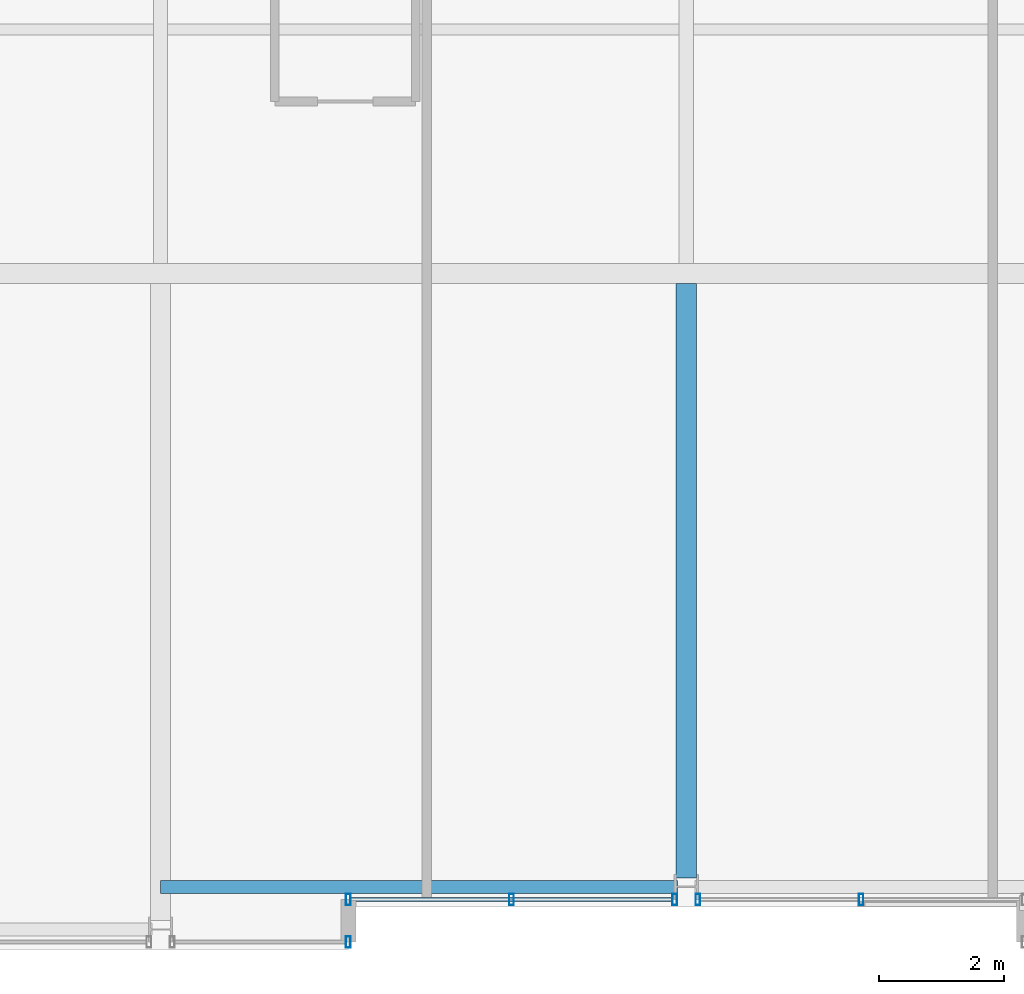
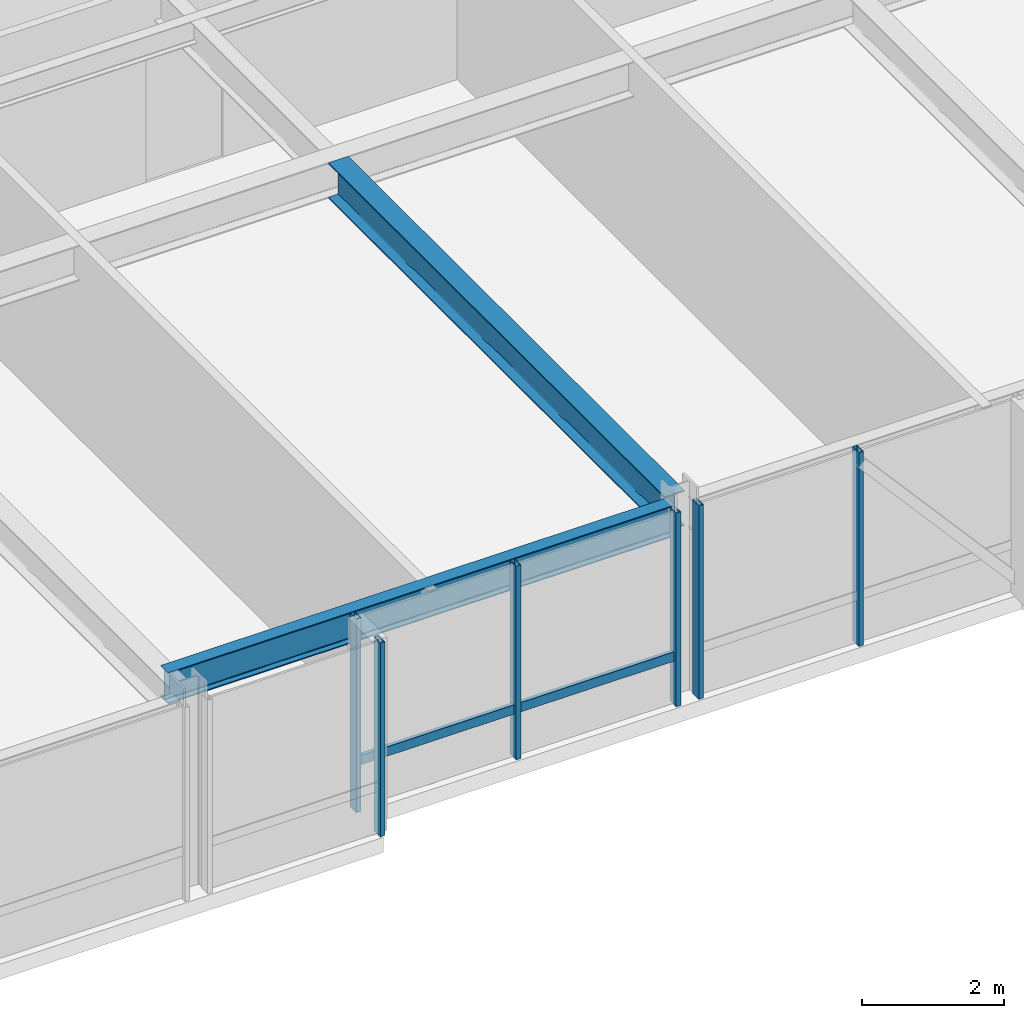
# One storey, part 5 of 31: 7 members, 2 beams, 3 elements without a shape of their own.
"""IFC4 building model written with IfcOpenShell, lengths in metres."""

import ifcopenshell
import ifcopenshell.guid

model = None  # the IFC model being written
_history = None  # IfcOwnerHistory: only IFC2X3 demands one
_inside = {}  # id of a spatial element -> (the spatial element, [elements in it])
_under = {}  # id of a project, library or spatial element -> (it, [spatial elements below it])
_declared = {}  # id of a project -> (the project, [libraries it declares])
_typed = {}  # id of a type object -> (the type object, [elements of that type])
_made_of = {}  # id of a material, layer set ... -> (it, [elements and type objects made of it])


def new_model(schema):
    """Start an empty IFC model of exactly this schema.

    Asked for "IFC4X3", IfcOpenShell would pick the latest addendum, in which some entities
    have other attributes; the version numbers below select the first issue.
    IFC2X3 requires an IfcOwnerHistory on every rooted entity: one is made here for all.
    """
    global model, _history
    if schema == "IFC4X3":
        model = ifcopenshell.file(schema_version=(4, 3, 0, 0))
    else:
        model = ifcopenshell.file(schema=schema)
    _inside.clear()
    _under.clear()
    _declared.clear()
    _typed.clear()
    _made_of.clear()
    _history = None
    if model.schema == "IFC2X3":
        org = make("IfcOrganization", Name="unknown")
        user = make(
            "IfcPersonAndOrganization",
            ThePerson=make("IfcPerson", FamilyName="unknown"),
            TheOrganization=org,
        )
        app = make(
            "IfcApplication",
            ApplicationDeveloper=org,
            Version="unknown",
            ApplicationFullName="unknown",
            ApplicationIdentifier="unknown",
        )
        _history = make(
            "IfcOwnerHistory",
            OwningUser=user,
            OwningApplication=app,
            ChangeAction="ADDED",
            CreationDate=0,
        )
    return model


def make(cls, **values):
    """One entity of the class cls with the attributes given. An attribute that is None is left unset."""
    return model.create_entity(
        cls, **{name: value for name, value in values.items() if value is not None}
    )


def rooted(cls, **values):
    """An entity with a GlobalId (a new one), such as an element, a storey or a relation."""
    return make(cls, GlobalId=ifcopenshell.guid.new(), OwnerHistory=_history, **values)


def si_unit(unit_type, name, prefix=None):
    """IfcSIUnit, for example si_unit("LENGTHUNIT", "METRE", prefix="MILLI")."""
    return make("IfcSIUnit", UnitType=unit_type, Prefix=prefix, Name=name)


def assignment(units):
    """IfcUnitAssignment: the units of a project."""
    return None if units is None else make("IfcUnitAssignment", Units=units)


def point(xyz):
    """IfcCartesianPoint."""
    return None if xyz is None else make("IfcCartesianPoint", Coordinates=xyz)


def direction(xyz):
    """IfcDirection."""
    return None if xyz is None else make("IfcDirection", DirectionRatios=xyz)


def frame(location, z_axis=None, x_axis=None):
    """IfcAxis2Placement3D, a coordinate frame: its origin and axes. An axis left out is left unset."""
    return make(
        "IfcAxis2Placement3D",
        Location=point(location),
        Axis=direction(z_axis),
        RefDirection=direction(x_axis),
    )


def frame_2d(location, x_axis=None):
    """IfcAxis2Placement2D, a coordinate frame in the plane: its origin and x axis."""
    return make(
        "IfcAxis2Placement2D", Location=point(location), RefDirection=direction(x_axis)
    )


def origin():
    """The frame at (0, 0, 0) with its axes left unset."""
    return frame((0.0, 0.0, 0.0))


def origin_2d():
    """The frame at (0, 0) in the plane with its x axis left unset."""
    return frame_2d((0.0, 0.0))


def place(relative_to, where):
    """IfcLocalPlacement: puts the frame where relative to a parent placement (None: the world)."""
    return make(
        "IfcLocalPlacement", PlacementRelTo=relative_to, RelativePlacement=where
    )


def context(
    kind, dimensions, precision=None, world=None, true_north=None, identifier=None
):
    """IfcGeometricRepresentationContext, for example the 3D "Model" context."""
    return make(
        "IfcGeometricRepresentationContext",
        ContextIdentifier=identifier,
        ContextType=kind,
        CoordinateSpaceDimension=dimensions,
        Precision=precision,
        WorldCoordinateSystem=world,
        TrueNorth=true_north,
    )


def subcontext(parent, identifier, kind, view, scale=None):
    """IfcGeometricRepresentationSubContext, for example "Body" below "Model"."""
    return make(
        "IfcGeometricRepresentationSubContext",
        ContextIdentifier=identifier,
        ContextType=kind,
        ParentContext=parent,
        TargetScale=scale,
        TargetView=view,
    )


def project(units=None, contexts=None):
    """IfcProject with its units and contexts."""
    return rooted(
        "IfcProject",
        Name="project",
        RepresentationContexts=contexts,
        UnitsInContext=assignment(units),
    )


def spatial(cls, under=None, at=None, **own):
    """A site, building, storey or space (cls), placed at a placement, below another one or the project."""
    s = rooted(cls, ObjectPlacement=at, **own)
    if under is not None:
        _under.setdefault(under.id(), (under, []))[1].append(s)
    return s


def profile(cls, at=None, kind="AREA", **sizes):
    """A parametric profile (cls). Its sizes go by their IFC names, for example OverallWidth=200.0."""
    return make(cls, ProfileType=kind, Position=at, **sizes)


def hollow_rectangle(**sizes):
    """IfcRectangleHollowProfileDef."""
    return profile("IfcRectangleHollowProfileDef", **sizes)


def i_section(**sizes):
    """IfcIShapeProfileDef."""
    return profile("IfcIShapeProfileDef", **sizes)


def extrude(swept, where, along, depth):
    """IfcExtrudedAreaSolid: the profile swept, set in the frame where, extruded along a direction by depth."""
    return make(
        "IfcExtrudedAreaSolid",
        SweptArea=swept,
        Position=where,
        ExtrudedDirection=direction(along),
        Depth=depth,
    )


def shape(context_of_items, identifier, shape_type, items):
    """IfcShapeRepresentation: the items that make up one representation, for example the "Body"."""
    return make(
        "IfcShapeRepresentation",
        ContextOfItems=context_of_items,
        RepresentationIdentifier=identifier,
        RepresentationType=shape_type,
        Items=items,
    )


def material(Name=None, Category=None):
    """IfcMaterial."""
    return make("IfcMaterial", Name=Name, Category=Category)


def layer(
    of_material, thickness, ventilated=None, Name=None, Category=None, Priority=None
):
    """IfcMaterialLayer: one layer of a wall or slab, of a material (None: an air gap)."""
    return make(
        "IfcMaterialLayer",
        Material=of_material,
        LayerThickness=thickness,
        IsVentilated=ventilated,
        Name=Name,
        Category=Category,
        Priority=Priority,
    )


def layer_set(layers, Name=None):
    """IfcMaterialLayerSet."""
    return make("IfcMaterialLayerSet", MaterialLayers=layers, LayerSetName=Name)


def material_profile(
    of_material, cross_section, Name=None, Category=None, Priority=None
):
    """IfcMaterialProfile: a cross section and its material."""
    return make(
        "IfcMaterialProfile",
        Name=Name,
        Material=of_material,
        Profile=cross_section,
        Priority=Priority,
        Category=Category,
    )


def profile_set(profiles, Name=None, composite=None):
    """IfcMaterialProfileSet."""
    return make(
        "IfcMaterialProfileSet",
        Name=Name,
        MaterialProfiles=profiles,
        CompositeProfile=composite,
    )


def made_of(thing, what):
    """Note that an element or type object is made of a material, layer set ...; save() writes the relation."""
    if what is not None:
        _made_of.setdefault(what.id(), (what, []))[1].append(thing)
    return thing


def type_object(cls, material=None, **own):
    """A type object (cls), such as IfcWallType, which elements share."""
    return made_of(rooted(cls, **own), material)


def element(
    cls,
    number,
    at=None,
    inside=None,
    cuts=None,
    type_object=None,
    material=None,
    context=None,
    identifier="Body",
    shape_type=None,
    held_by="IfcProductDefinitionShape",
    body=None,
    shapes=None,
    **own,
):
    """One element of the class cls, such as IfcWall. Its Tag is "e" and its number.

    at: its placement. inside: the storey or other place that contains it. cuts: it is an
    opening in that element (IfcRelVoidsElement). A single representation is given by context,
    identifier, shape_type and body (its items); several are given by shapes. held_by: the class
    of the entity that holds the representations. save() writes the other relations.
    """
    e = rooted(cls, Tag="e%d" % number, ObjectPlacement=at, **own)
    if body is not None:
        shapes = [shape(context, identifier, shape_type, body)]
    if shapes is not None:
        e.Representation = make(held_by, Representations=shapes)
    if inside is not None:
        _inside.setdefault(inside.id(), (inside, []))[1].append(e)
    if cuts is not None:
        rooted(
            "IfcRelVoidsElement", RelatingBuildingElement=cuts, RelatedOpeningElement=e
        )
    if type_object is not None:
        _typed.setdefault(type_object.id(), (type_object, []))[1].append(e)
    return made_of(e, material)


def aggregate(whole, parts):
    """IfcRelAggregates: a whole, such as a stair, and the parts it consists of."""
    return rooted("IfcRelAggregates", RelatingObject=whole, RelatedObjects=parts)


def save(model, path):
    """Write the relations noted so far, then the file.

    IfcRelAggregates (storeys below a building ...), IfcRelContainedInSpatialStructure (elements
    in a storey), IfcRelDefinesByType, IfcRelAssociatesMaterial and IfcRelDeclares: one each for
    every whole, place, type object, material and project.
    """
    for whole, parts in _under.values():
        aggregate(whole, parts)
    for where, things in _inside.values():
        rooted(
            "IfcRelContainedInSpatialStructure",
            RelatedElements=things,
            RelatingStructure=where,
        )
    for kind, things in _typed.values():
        rooted("IfcRelDefinesByType", RelatedObjects=things, RelatingType=kind)
    for what, things in _made_of.values():
        rooted("IfcRelAssociatesMaterial", RelatedObjects=things, RelatingMaterial=what)
    for by, libraries in _declared.values():
        rooted("IfcRelDeclares", RelatingContext=by, RelatedDefinitions=libraries)
    model.write(path)


model = new_model("IFC4")

# Units and contexts
model_context = context("Model", 3, precision=1e-05, world=origin(), true_north=direction((0.0, 1.0)))
body_context = subcontext(model_context, "Body", "Model", "MODEL_VIEW")
ifc_project = project(units=[si_unit("LENGTHUNIT", "METRE"), si_unit("AREAUNIT", "SQUARE_METRE"), si_unit("VOLUMEUNIT", "CUBIC_METRE"), si_unit("PLANEANGLEUNIT", "RADIAN"), si_unit("MASSUNIT", "GRAM", prefix="KILO")], contexts=[model_context])

# Site, building, storey
site_placement = place(None, origin())
site = spatial("IfcSite", under=ifc_project, at=site_placement, CompositionType="ELEMENT")
building_placement = place(site_placement, origin())
building = spatial("IfcBuilding", under=site, at=building_placement, Name="Drelvath Grand Hotel", CompositionType="ELEMENT")
storey_placement = place(building_placement, frame((0.0, 0.0, 219.5)))
storey = spatial("IfcBuildingStorey", under=building, at=storey_placement, Name="L57", CompositionType="ELEMENT", Elevation=219.5)

# Curtain wall, members
ifc_material_1 = material(Name="Platinum-Mist Anodised Aluminium Frame", Category="aluminium")
ifc_layer = layer(ifc_material_1, 0.199951171875)
ifc_layer_set = layer_set([ifc_layer], Name="Platinum-Mist Anodised Aluminium Frame")
curtain_wall_type = type_object("IfcCurtainWallType", Name="Stick Curtain Wall CW-05 Platinum Mist High-Rise", PredefinedType="NOTDEFINED", material=ifc_layer_set)
curtain_wall_1_placement = place(storey_placement, origin())
curtain_wall_1 = element("IfcCurtainWall", 1, at=curtain_wall_1_placement, inside=storey, type_object=curtain_wall_type, Name="L57 CW-05 Curtain Wall CW05-L57-SM1", PredefinedType="NOTDEFINED")
ifc_material_profile_1 = material_profile(ifc_material_1, hollow_rectangle(XDim=0.06494140625, YDim=0.159912109375, WallThickness=0.00390625, at=origin_2d()), Name="HSS160X65X4")
ifc_profile_set_1 = profile_set([ifc_material_profile_1], Name="Platinum-Mist Anodised Aluminium Frame")
member_type_1 = type_object("IfcMemberType", Name="Curtain Wall Horizontal Transom CW-05 HSS160X65X4", PredefinedType="USERDEFINED", material=ifc_profile_set_1)
member_1_placement = place(storey_placement, frame((-0.225341796875, 0.800048828125, 0.8349609375), z_axis=(-1.0, 0.0, 0.0), x_axis=(0.0, -1.0, 0.0)))
member_1 = element("IfcMember", 2, at=member_1_placement, type_object=member_type_1, Name="CW05-L57-SM1 Sill Transom", ObjectType="TRANSOM", PredefinedType="USERDEFINED", context=body_context, shape_type="SweptSolid", body=[
    extrude(hollow_rectangle(XDim=0.06494140625, YDim=0.159912109375, WallThickness=0.00390625, at=origin_2d()), origin(), (0.0, 0.0, 1.0), 5.134765625),
])
ifc_material_profile_2 = material_profile(ifc_material_1, hollow_rectangle(XDim=0.074951171875, YDim=0.179931640625, WallThickness=0.0048828125, at=origin_2d()), Name="HSS180X75X5")
ifc_profile_set_2 = profile_set([ifc_material_profile_2], Name="Platinum-Mist Anodised Aluminium Frame")
member_type_2 = type_object("IfcMemberType", Name="Curtain Wall Vertical Mullion CW-05 HSS180X75X5", PredefinedType="MULLION", material=ifc_profile_set_2)
member_2_placement = place(storey_placement, frame((-0.185302734375, 0.800048828125, 0.0), z_axis=(0.0, 0.0, 1.0), x_axis=(1.0, 0.0, 0.0)))
member_2 = element("IfcMember", 3, at=member_2_placement, type_object=member_type_2, Name="CW05-L57-SM1 Mullion 1", PredefinedType="MULLION", context=body_context, shape_type="SweptSolid", body=[
    extrude(hollow_rectangle(XDim=0.074951171875, YDim=0.179931640625, WallThickness=0.0048828125, at=origin_2d()), origin(), (0.0, 0.0, 1.0), 3.340087890625),
])
member_3_placement = place(storey_placement, frame((-2.792724609375, 0.800048828125, 0.0), z_axis=(0.0, 0.0, 1.0), x_axis=(1.0, 0.0, 0.0)))
member_3 = element("IfcMember", 4, at=member_3_placement, type_object=member_type_2, Name="CW05-L57-SM1 Mullion 2", PredefinedType="MULLION", context=body_context, shape_type="SweptSolid", body=[
    extrude(hollow_rectangle(XDim=0.074951171875, YDim=0.179931640625, WallThickness=0.0048828125, at=origin_2d()), origin(), (0.0, 0.0, 1.0), 3.340087890625),
])
member_4_placement = place(storey_placement, frame((-5.39990234375, 0.800048828125, 0.0), z_axis=(0.0, 0.0, 1.0), x_axis=(1.0, 0.0, 0.0)))
member_4 = element("IfcMember", 5, at=member_4_placement, type_object=member_type_2, Name="CW05-L57-SM1 Mullion 3", PredefinedType="MULLION", context=body_context, shape_type="SweptSolid", body=[
    extrude(hollow_rectangle(XDim=0.074951171875, YDim=0.179931640625, WallThickness=0.0048828125, at=origin_2d()), origin(), (0.0, 0.0, 1.0), 3.340087890625),
])
aggregate(curtain_wall_1, [member_2, member_3, member_4, member_1])

curtain_wall_2_placement = place(storey_placement, origin())
curtain_wall_2 = element("IfcCurtainWall", 6, at=curtain_wall_2_placement, inside=storey, type_object=curtain_wall_type, Name="L57 CW-05 Curtain Wall CW05-L57-SM2", PredefinedType="NOTDEFINED")
member_5_placement = place(storey_placement, frame((2.792724609375, 0.800048828125, 0.0), z_axis=(0.0, 0.0, 1.0), x_axis=(1.0, 0.0, 0.0)))
member_5 = element("IfcMember", 7, at=member_5_placement, type_object=member_type_2, Name="CW05-L57-SM2 Mullion 2", PredefinedType="MULLION", context=body_context, shape_type="SweptSolid", body=[
    extrude(hollow_rectangle(XDim=0.074951171875, YDim=0.179931640625, WallThickness=0.0048828125, at=origin_2d()), origin(), (0.0, 0.0, 1.0), 3.340087890625),
])
member_6_placement = place(storey_placement, frame((0.185302734375, 0.800048828125, 0.0), z_axis=(0.0, 0.0, 1.0), x_axis=(1.0, 0.0, 0.0)))
member_6 = element("IfcMember", 8, at=member_6_placement, type_object=member_type_2, Name="CW05-L57-SM2 Mullion 3", PredefinedType="MULLION", context=body_context, shape_type="SweptSolid", body=[
    extrude(hollow_rectangle(XDim=0.074951171875, YDim=0.179931640625, WallThickness=0.0048828125, at=origin_2d()), origin(), (0.0, 0.0, 1.0), 3.340087890625),
])
aggregate(curtain_wall_2, [member_5, member_6])

# Curtain wall, member
curtain_wall_3_placement = place(storey_placement, origin())
curtain_wall_3 = element("IfcCurtainWall", 9, at=curtain_wall_3_placement, inside=storey, type_object=curtain_wall_type, Name="L57 CW-05 Curtain Wall CW05-L57-SW3", PredefinedType="NOTDEFINED")
member_7_placement = place(storey_placement, frame((-5.39990234375, 0.1201171875, 0.0), z_axis=(0.0, 0.0, 1.0), x_axis=(1.0, 0.0, 0.0)))
member_7 = element("IfcMember", 10, at=member_7_placement, type_object=member_type_2, Name="CW05-L57-SW3 Mullion 1", PredefinedType="MULLION", context=body_context, shape_type="SweptSolid", body=[
    extrude(hollow_rectangle(XDim=0.074951171875, YDim=0.179931640625, WallThickness=0.0048828125, at=origin_2d()), origin(), (0.0, 0.0, 1.0), 3.340087890625),
])
aggregate(curtain_wall_3, [member_7])

# Beams
ifc_material_2 = material(Name="Steel ASTM A992 Gr 50", Category="steel")
ifc_material_profile_3 = material_profile(ifc_material_2, i_section(OverallWidth=0.210205078125, OverallDepth=0.53662109375, WebThickness=0.010986328125, FlangeThickness=0.017333984375, FilletRadius=0.01806640625, at=origin_2d()), Name="W21X68")
ifc_profile_set_3 = profile_set([ifc_material_profile_3], Name="Steel ASTM A992 Gr 50")
beam_type_1 = type_object("IfcBeamType", Name="Perimeter Spandrel Beam W21X68", PredefinedType="SPANDREL", material=ifc_profile_set_3)
beam_1_placement = place(storey_placement, frame((-8.39990234375, 1.0, 3.07177734375), z_axis=(1.0, 0.0, 0.0), x_axis=(0.0, 1.0, 0.0)))
element("IfcBeam", 11, at=beam_1_placement, inside=storey, type_object=beam_type_1, Name="L57 Spandrel South Mid W", PredefinedType="SPANDREL", context=body_context, shape_type="SweptSolid", body=[
    extrude(i_section(OverallWidth=0.210205078125, OverallDepth=0.53662109375, WebThickness=0.010986328125, FlangeThickness=0.017333984375, FilletRadius=0.01806640625, at=origin_2d()), origin(), (0.0, 0.0, 1.0), 8.260009765625),
])
ifc_material_profile_4 = material_profile(ifc_material_2, i_section(OverallWidth=0.323974609375, OverallDepth=0.611083984375, WebThickness=0.0126953125, FlangeThickness=0.01904296875, FilletRadius=0.02197265625, at=origin_2d()), Name="W24X104")
ifc_profile_set_4 = profile_set([ifc_material_profile_4], Name="Steel ASTM A992 Gr 50")
beam_type_2 = type_object("IfcBeamType", Name="Primary Floor Girder W24X104", PredefinedType="BEAM", material=ifc_profile_set_4)
beam_2_placement = place(storey_placement, frame((0.0, 1.139892578125, 3.034423828125), z_axis=(0.0, 1.0, 0.0), x_axis=(-1.0, 0.0, 0.0)))
element("IfcBeam", 12, at=beam_2_placement, inside=storey, type_object=beam_type_2, Name="L57 South Wing Girder 5", PredefinedType="BEAM", context=body_context, shape_type="SweptSolid", body=[
    extrude(i_section(OverallWidth=0.323974609375, OverallDepth=0.611083984375, WebThickness=0.0126953125, FlangeThickness=0.01904296875, FilletRadius=0.02197265625, at=origin_2d()), origin(), (0.0, 0.0, 1.0), 9.498046875),
])

save(model, "model.ifc")
